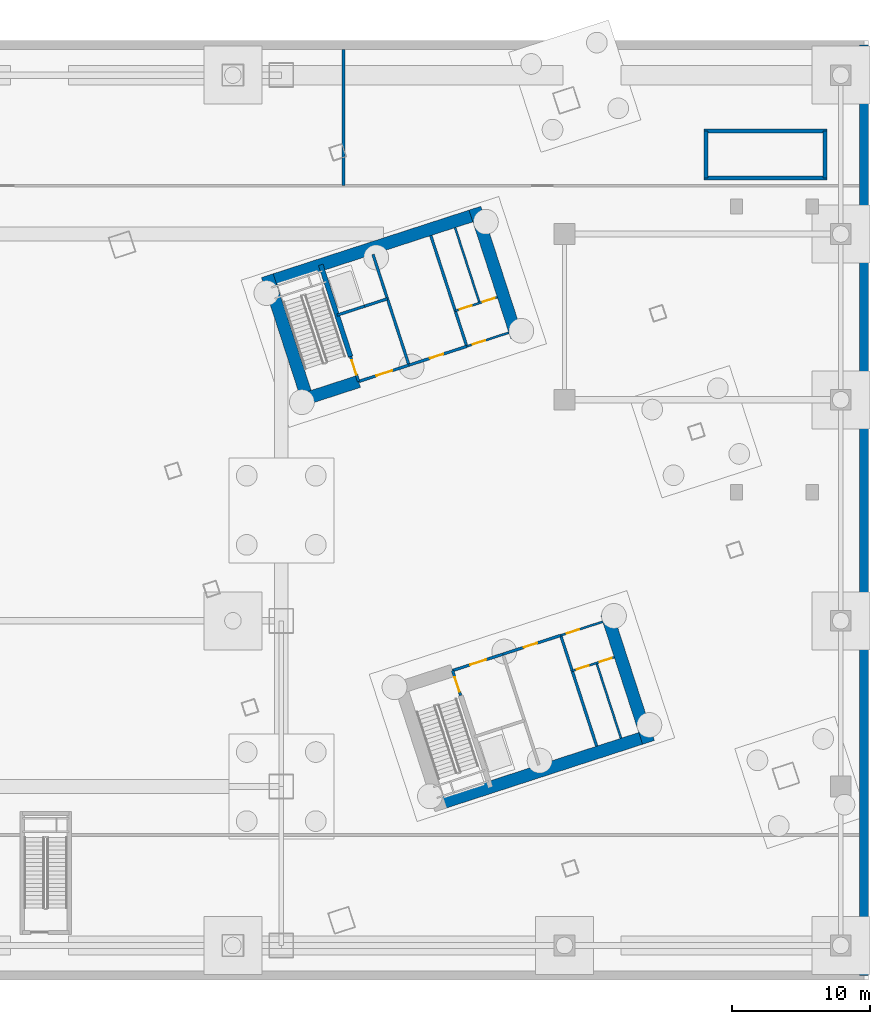
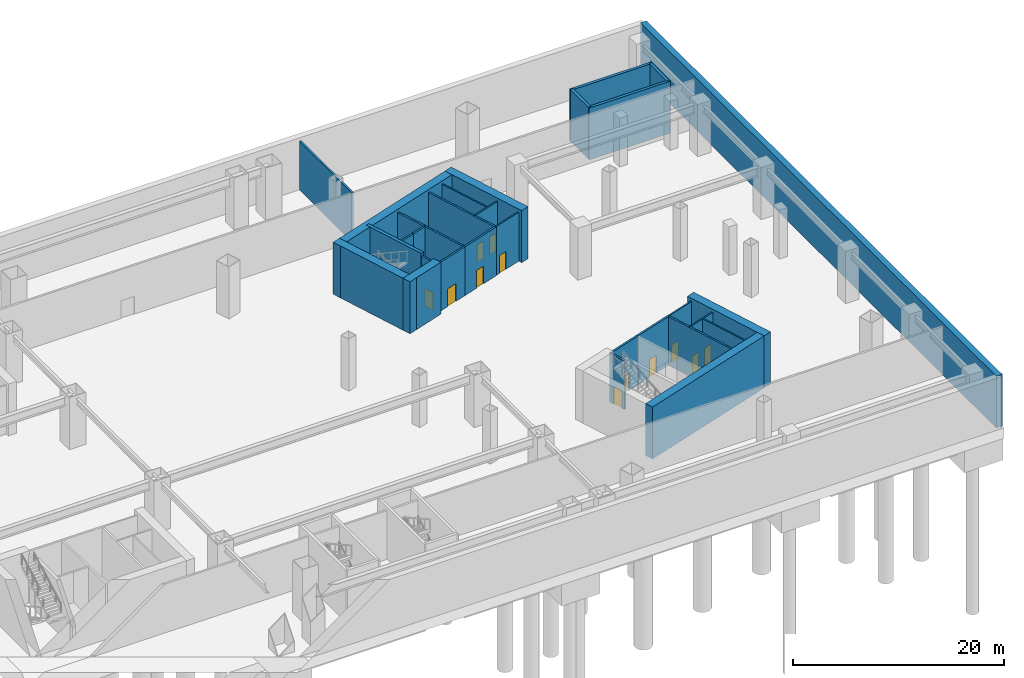
# One storey, part 12 of 20: 30 walls, 12 doors, 12 openings.
"""IFC4 building model written with IfcOpenShell, lengths in metres."""

from ifc_helpers import new_model, si_unit, direction, frame, frame_2d, origin, place, context, subcontext, project, spatial, rectangle, extrude, material, layer, layer_set, type_object, element, fill, save


model = new_model("IFC4")

# Units and contexts
model_context = context("Model", 3, precision=1e-05, world=origin(), true_north=direction((0.0, 1.0)))
body_context = subcontext(model_context, "Body", "Model", "MODEL_VIEW")
ifc_project = project(units=[si_unit("LENGTHUNIT", "METRE"), si_unit("AREAUNIT", "SQUARE_METRE"), si_unit("VOLUMEUNIT", "CUBIC_METRE"), si_unit("PLANEANGLEUNIT", "RADIAN"), si_unit("MASSUNIT", "GRAM", prefix="KILO")], contexts=[model_context])

# Site, building, storey
site_placement = place(None, origin())
site = spatial("IfcSite", under=ifc_project, at=site_placement, CompositionType="ELEMENT")
building_placement = place(site_placement, origin())
building = spatial("IfcBuilding", under=site, at=building_placement, Name="Qiaolan Cultural Towers", CompositionType="ELEMENT")
storey_placement = place(building_placement, frame((0.0, 0.0, -12.0)))
storey = spatial("IfcBuildingStorey", under=building, at=storey_placement, Name="B2", CompositionType="ELEMENT", Elevation=-12.0)

# Walls
ifc_material_1 = material(Name="Concrete C50", Category="concrete")
ifc_layer_1 = layer(ifc_material_1, 0.35009765625)
ifc_layer_set_1 = layer_set([ifc_layer_1], Name="Concrete C50")
wall_type_1 = type_object("IfcWallType", Name="WL-CORE-350", PredefinedType="SHEAR", material=ifc_layer_set_1)
wall_1_placement = place(storey_placement, frame((82.513671875, 45.13134765625, 0.0), z_axis=(0.0, 0.0, 1.0), x_axis=(-0.308988790936, 0.951065679686, 0.0)))
element("IfcWall", 1, at=wall_1_placement, inside=storey, type_object=wall_type_1, Name="B2 T2-CN Stair Core Dividing Web", PredefinedType="SHEAR", context=body_context, shape_type="SweptSolid", body=[
    extrude(rectangle(XDim=6.97998046875, YDim=0.35009765625, at=frame_2d((3.489990234375, 0.0))), origin(), (0.0, 0.0, 1.0), 6.0),
])
for number, where, z_axis, x_axis, name in (
    (2, (108.10009765625, 58.050048828125, 0.0), (0.0, 0.0, 1.0), (1.0, 0.0, 0.0), "B2 STP2 Stair Shaft Wall S"),
    (3, (108.10009765625, 61.449951171875, 0.0), (0.0, 0.0, 1.0), (1.0, 0.0, 0.0), "B2 STP2 Stair Shaft Wall N"),
):
    element("IfcWall", number, at=place(storey_placement, frame(where, z_axis=z_axis, x_axis=x_axis)), inside=storey, type_object=wall_type_1, Name=name, PredefinedType="SHEAR", context=body_context, shape_type="SweptSolid", body=[
        extrude(rectangle(XDim=8.89990234375, YDim=0.300048828125, at=frame_2d((4.449951171875, 0.0))), origin(), (0.0, 0.0, 1.0), 6.0),
    ])
for number, where, z_axis, x_axis, name in (
    (4, (116.85009765625, 58.050048828125, 0.0), (0.0, 0.0, 1.0), (0.0, 1.0, 0.0), "B2 STP2 Stair Shaft Wall E"),
    (5, (108.25, 58.050048828125, 0.0), (0.0, 0.0, 1.0), (0.0, 1.0, 0.0), "B2 STP2 Stair Shaft Wall W"),
):
    element("IfcWall", number, at=place(storey_placement, frame(where, z_axis=z_axis, x_axis=x_axis)), inside=storey, type_object=wall_type_1, Name=name, PredefinedType="SHEAR", context=body_context, shape_type="SweptSolid", body=[
        extrude(rectangle(XDim=3.39990234375, YDim=0.300048828125, at=frame_2d((1.699951171875, 0.0))), origin(), (0.0, 0.0, 1.0), 6.0),
    ])
ifc_material_2 = material(Name="Concrete C60", Category="concrete")
ifc_layer_2 = layer(ifc_material_2, 0.89990234375)
ifc_layer_set_2 = layer_set([ifc_layer_2], Name="Concrete C60")
wall_type_2 = type_object("IfcWallType", Name="WL-CORE-900", PredefinedType="SHEAR", material=ifc_layer_set_2)
wall_2_placement = place(storey_placement, frame((88.4873046875, 12.60546875, 0.0), z_axis=(0.0, 0.0, 1.0), x_axis=(0.951055016115, 0.309021611416, 0.0)))
element("IfcWall", 6, at=wall_2_placement, inside=storey, type_object=wall_type_2, Name="B2 T2-CS Outer Core Shear Wall", PredefinedType="SHEAR", context=body_context, shape_type="SweptSolid", body=[
    extrude(rectangle(XDim=16.699951171875, YDim=0.89990234375, at=frame_2d((8.35009765625, 0.0))), origin(), (0.0, 0.0, 1.0), 6.0),
])
wall_3_placement = place(storey_placement, frame((101.058837890625, 26.500244140625, 0.0), z_axis=(0.0, 0.0, 1.0), x_axis=(0.309021722829, -0.951054979914, 0.0)))
element("IfcWall", 7, at=wall_3_placement, inside=storey, type_object=wall_type_2, Name="B2 T2-CS East Core Shear Wall", PredefinedType="SHEAR", context=body_context, shape_type="SweptSolid", body=[
    extrude(rectangle(XDim=9.780029296875, YDim=0.89990234375, at=frame_2d((4.89013671875, 0.0))), origin(), (0.0, 0.0, 1.0), 6.0),
])
wall_4_placement = place(storey_placement, frame((76.20068359375, 50.41943359375, 0.0), z_axis=(0.0, 0.0, 1.0), x_axis=(0.951056412142, 0.309017314926, 0.0)))
element("IfcWall", 8, at=wall_4_placement, inside=storey, type_object=wall_type_2, Name="B2 T2-CN Outer Core Shear Wall", PredefinedType="SHEAR", context=body_context, shape_type="SweptSolid", body=[
    extrude(rectangle(XDim=16.7001953125, YDim=0.89990234375, at=frame_2d((8.35009765625, 0.0))), origin(), (0.0, 0.0, 1.0), 6.0),
])
for number, where, z_axis, x_axis, name in (
    (9, (79.511962890625, 41.68505859375, 0.0), (0.0, 0.0, 1.0), (-0.309021722829, 0.951054979914, 0.0), "B2 T2-CN West Core Shear Wall"),
    (10, (94.53857421875, 46.567626953125, 0.0), (0.0, 0.0, 1.0), (-0.309021722829, 0.951054979914, 0.0), "B2 T2-CN East Core Shear Wall"),
):
    element("IfcWall", number, at=place(storey_placement, frame(where, z_axis=z_axis, x_axis=x_axis)), inside=storey, type_object=wall_type_2, Name=name, PredefinedType="SHEAR", context=body_context, shape_type="SweptSolid", body=[
        extrude(rectangle(XDim=9.780029296875, YDim=0.89990234375, at=frame_2d((4.89013671875, 0.0))), origin(), (0.0, 0.0, 1.0), 6.0),
    ])
wall_5_placement = place(storey_placement, frame((78.94482421875, 41.97412109375, 0.0), z_axis=(0.0, 0.0, 1.0), x_axis=(0.951058289404, 0.309011537255, 0.0)))
element("IfcWall", 11, at=wall_5_placement, inside=storey, type_object=wall_type_2, Name="B2 T2-CN Stair Front Shear Wall", PredefinedType="SHEAR", context=body_context, shape_type="SweptSolid", body=[
    extrude(rectangle(XDim=4.369873046875, YDim=0.89990234375, at=frame_2d((2.18505859375, 0.0))), origin(), (0.0, 0.0, 1.0), 6.0),
])

# Wall, opening, door
ifc_material_3 = material(Name="Concrete C35 Fire Wall", Category="concrete")
ifc_layer_3 = layer(ifc_material_3, 0.199951171875)
ifc_layer_set_3 = layer_set([ifc_layer_3], Name="Concrete C35 Fire Wall")
wall_type_3 = type_object("IfcWallType", Name="WL-FIRE-200", PredefinedType="PARTITIONING", material=ifc_layer_set_3)
wall_6_placement = place(storey_placement, frame((89.8994140625, 22.401123046875, 0.0), z_axis=(0.0, 0.0, 1.0), x_axis=(0.308932062672, -0.951084108086, 0.0)))
wall_6 = element("IfcWall", 12, at=wall_6_placement, inside=storey, type_object=wall_type_3, Name="B2 T2-CS Smokeproof Stair Entry Wall", PredefinedType="PARTITIONING", context=body_context, shape_type="SweptSolid", body=[
    extrude(rectangle(XDim=1.89990234375, YDim=0.199951171875, at=frame_2d((0.949951171875, 0.0))), origin(), (0.0, 0.0, 1.0), 5.635009765625),
])
opening_1_placement = place(wall_6_placement, frame((0.52001953125, 0.0, 0.0)))
opening_1 = element("IfcOpeningElement", 13, at=opening_1_placement, cuts=wall_6, Name="Opening FD-04", PredefinedType="OPENING", context=body_context, shape_type="SweptSolid", body=[
    extrude(rectangle(XDim=1.10009765625, YDim=2.050048828125, at=frame_2d((0.550048828125, 1.02490234375))), frame((0.0, 0.10986328125, 0.0), z_axis=(0.0, -1.0, 0.0), x_axis=(1.0, 0.0, 0.0)), (0.0, 0.0, 1.0), 0.219970703125),
])
ifc_material_4 = material(Name="Galvanized Steel Command Fire Door", Category="steel")
door_type_1 = type_object("IfcDoorType", Name="DR-FD90-1100", OperationType="NOTDEFINED", PredefinedType="DOOR", material=ifc_material_4)
door_1_placement = place(opening_1_placement, origin())
door_1 = element("IfcDoor", 14, at=door_1_placement, inside=storey, type_object=door_type_1, Name="B2 ST-E1 Smokeproof Stair Fire Door", OperationType="SINGLE_SWING_LEFT", OverallHeight=2.050048828125, OverallWidth=1.10009765625, PredefinedType="DOOR", context=body_context, shape_type="SweptSolid", body=[
    extrude(rectangle(XDim=1.10009765625, YDim=2.050048828125, at=frame_2d((0.550048828125, 1.02490234375))), frame((0.0, 0.02490234375, 0.0), z_axis=(0.0, -1.0, 0.0), x_axis=(1.0, 0.0, 0.0)), (0.0, 0.0, 1.0), 0.050048828125),
])
fill(opening_1, door_1)

wall_7_placement = place(storey_placement, frame((89.8994140625, 22.401123046875, 0.0), z_axis=(0.0, 0.0, 1.0), x_axis=(0.951046716504, 0.309047153403, 0.0)))
wall_7 = element("IfcWall", 15, at=wall_7_placement, inside=storey, type_object=wall_type_3, Name="B2 T2-CS Firefighting Lobby Front Wall", PredefinedType="PARTITIONING", context=body_context, shape_type="SweptSolid", body=[
    extrude(rectangle(XDim=3.829833984375, YDim=0.199951171875, at=frame_2d((1.9150390625, 0.0))), origin(), (0.0, 0.0, 1.0), 5.635009765625),
])
opening_2_placement = place(wall_7_placement, frame((1.35009765625, 0.0, 0.0)))
opening_2 = element("IfcOpeningElement", 16, at=opening_2_placement, cuts=wall_7, Name="Opening FD-03", PredefinedType="OPENING", context=body_context, shape_type="SweptSolid", body=[
    extrude(rectangle(XDim=1.199951171875, YDim=2.050048828125, at=frame_2d((0.60009765625, 1.02490234375))), frame((0.0, 0.10986328125, 0.0), z_axis=(0.0, -1.0, 0.0), x_axis=(1.0, 0.0, 0.0)), (0.0, 0.0, 1.0), 0.219970703125),
])
ifc_material_5 = material(Name="Galvanized Steel Smokeproof Lobby Fire Door", Category="steel")
door_type_2 = type_object("IfcDoorType", Name="DR-FD90-1200", OperationType="NOTDEFINED", PredefinedType="DOOR", material=ifc_material_5)
door_2_placement = place(opening_2_placement, origin())
door_2 = element("IfcDoor", 17, at=door_2_placement, inside=storey, type_object=door_type_2, Name="B2 FFL-E1 Firefighting Lobby Fire Door", OperationType="SINGLE_SWING_LEFT", OverallHeight=2.050048828125, OverallWidth=1.199951171875, PredefinedType="DOOR", context=body_context, shape_type="SweptSolid", body=[
    extrude(rectangle(XDim=1.199951171875, YDim=2.050048828125, at=frame_2d((0.60009765625, 1.02490234375))), frame((0.0, 0.02490234375, 0.0), z_axis=(0.0, -1.0, 0.0), x_axis=(1.0, 0.0, 0.0)), (0.0, 0.0, 1.0), 0.050048828125),
])
fill(opening_2, door_2)

# Wall
wall_8_placement = place(storey_placement, frame((97.7265625, 24.9443359375, 0.0), z_axis=(0.0, 0.0, 1.0), x_axis=(0.309016001439, -0.951056838919, 0.0)))
element("IfcWall", 18, at=wall_8_placement, inside=storey, type_object=wall_type_3, Name="B2 T2-CS Lift Core East Wall", PredefinedType="PARTITIONING", context=body_context, shape_type="SweptSolid", body=[
    extrude(rectangle(XDim=8.429931640625, YDim=0.199951171875, at=frame_2d((4.21484375, 0.0))), origin(), (0.0, 0.0, 1.0), 5.635009765625),
])

# Wall, opening, door
wall_9_placement = place(storey_placement, frame((93.541748046875, 23.584716796875, 0.0), z_axis=(0.0, 0.0, 1.0), x_axis=(0.951063829732, 0.308994485023, 0.0)))
wall_9 = element("IfcWall", 19, at=wall_9_placement, inside=storey, type_object=wall_type_3, Name="B2 T2-CS Basement Core Store Front Wall", PredefinedType="PARTITIONING", context=body_context, shape_type="SweptSolid", body=[
    extrude(rectangle(XDim=4.400146484375, YDim=0.199951171875, at=frame_2d((2.2001953125, 0.0))), origin(), (0.0, 0.0, 1.0), 5.635009765625),
])
opening_3_placement = place(wall_9_placement, frame((1.60009765625, 0.0, 0.0)))
opening_3 = element("IfcOpeningElement", 20, at=opening_3_placement, cuts=wall_9, Name="Opening FD-07", PredefinedType="OPENING", context=body_context, shape_type="SweptSolid", body=[
    extrude(rectangle(XDim=1.0, YDim=2.050048828125, at=frame_2d((0.5, 1.02490234375))), frame((0.0, 0.10986328125, 0.0), z_axis=(0.0, -1.0, 0.0), x_axis=(1.0, 0.0, 0.0)), (0.0, 0.0, 1.0), 0.219970703125),
])
ifc_material_6 = material(Name="Painted Steel Riser Fire Door", Category="steel")
door_type_3 = type_object("IfcDoorType", Name="DR-FD60-1000", OperationType="NOTDEFINED", PredefinedType="DOOR", material=ifc_material_6)
door_3_placement = place(opening_3_placement, origin())
door_3 = element("IfcDoor", 21, at=door_3_placement, inside=storey, type_object=door_type_3, Name="B2 Core Maintenance Store Door", OperationType="SINGLE_SWING_LEFT", OverallHeight=2.050048828125, OverallWidth=1.0, PredefinedType="DOOR", context=body_context, shape_type="SweptSolid", body=[
    extrude(rectangle(XDim=1.0, YDim=2.050048828125, at=frame_2d((0.5, 1.02490234375))), frame((0.0, 0.02490234375, 0.0), z_axis=(0.0, -1.0, 0.0), x_axis=(1.0, 0.0, 0.0)), (0.0, 0.0, 1.0), 0.050048828125),
])
fill(opening_3, door_3)

wall_10_placement = place(storey_placement, frame((83.100830078125, 43.324462890625, 0.0), z_axis=(0.0, 0.0, 1.0), x_axis=(-0.309048298632, 0.951046344356, 0.0)))
wall_10 = element("IfcWall", 22, at=wall_10_placement, inside=storey, type_object=wall_type_3, Name="B2 T2-CN Smokeproof Stair Entry Wall", PredefinedType="PARTITIONING", context=body_context, shape_type="SweptSolid", body=[
    extrude(rectangle(XDim=1.89990234375, YDim=0.199951171875, at=frame_2d((0.949951171875, 0.0))), origin(), (0.0, 0.0, 1.0), 5.635009765625),
])
opening_4_placement = place(wall_10_placement, frame((0.52001953125, 0.0, 0.0)))
opening_4 = element("IfcOpeningElement", 23, at=opening_4_placement, cuts=wall_10, Name="Opening FD-04", PredefinedType="OPENING", context=body_context, shape_type="SweptSolid", body=[
    extrude(rectangle(XDim=1.10009765625, YDim=2.050048828125, at=frame_2d((0.550048828125, 1.02490234375))), frame((0.0, 0.10986328125, 0.0), z_axis=(0.0, -1.0, 0.0), x_axis=(1.0, 0.0, 0.0)), (0.0, 0.0, 1.0), 0.219970703125),
])
door_4_placement = place(opening_4_placement, origin())
door_4 = element("IfcDoor", 24, at=door_4_placement, inside=storey, type_object=door_type_1, Name="B2 ST-E2 Smokeproof Stair Fire Door", OperationType="SINGLE_SWING_LEFT", OverallHeight=2.050048828125, OverallWidth=1.10009765625, PredefinedType="DOOR", context=body_context, shape_type="SweptSolid", body=[
    extrude(rectangle(XDim=1.10009765625, YDim=2.050048828125, at=frame_2d((0.550048828125, 1.02490234375))), frame((0.0, 0.02490234375, 0.0), z_axis=(0.0, -1.0, 0.0), x_axis=(1.0, 0.0, 0.0)), (0.0, 0.0, 1.0), 0.050048828125),
])
fill(opening_4, door_4)

# Wall
wall_11_placement = place(storey_placement, frame((86.743408203125, 44.508056640625, 0.0), z_axis=(0.0, 0.0, 1.0), x_axis=(-0.309016001439, 0.951056838919, 0.0)))
element("IfcWall", 25, at=wall_11_placement, inside=storey, type_object=wall_type_3, Name="B2 T2-CN Firefighting Zone Wall", PredefinedType="PARTITIONING", context=body_context, shape_type="SweptSolid", body=[
    extrude(rectangle(XDim=8.429931640625, YDim=0.199951171875, at=frame_2d((4.21484375, 0.0))), origin(), (0.0, 0.0, 1.0), 5.635009765625),
])

# Wall, opening, door
wall_12_placement = place(storey_placement, frame((83.100830078125, 43.324462890625, 0.0), z_axis=(0.0, 0.0, 1.0), x_axis=(0.951052804469, 0.309028417967, 0.0)))
wall_12 = element("IfcWall", 26, at=wall_12_placement, inside=storey, type_object=wall_type_3, Name="B2 T2-CN Firefighting Lobby Front Wall", PredefinedType="PARTITIONING", context=body_context, shape_type="SweptSolid", body=[
    extrude(rectangle(XDim=3.830078125, YDim=0.199951171875, at=frame_2d((1.9150390625, 0.0))), origin(), (0.0, 0.0, 1.0), 5.635009765625),
])
opening_5_placement = place(wall_12_placement, frame((1.35009765625, 0.0, 0.0)))
opening_5 = element("IfcOpeningElement", 27, at=opening_5_placement, cuts=wall_12, Name="Opening FD-03", PredefinedType="OPENING", context=body_context, shape_type="SweptSolid", body=[
    extrude(rectangle(XDim=1.199951171875, YDim=2.050048828125, at=frame_2d((0.60009765625, 1.02490234375))), frame((0.0, 0.10986328125, 0.0), z_axis=(0.0, -1.0, 0.0), x_axis=(1.0, 0.0, 0.0)), (0.0, 0.0, 1.0), 0.219970703125),
])
door_5_placement = place(opening_5_placement, origin())
door_5 = element("IfcDoor", 28, at=door_5_placement, inside=storey, type_object=door_type_2, Name="B2 FFL-E2 Firefighting Lobby Fire Door", OperationType="SINGLE_SWING_LEFT", OverallHeight=2.050048828125, OverallWidth=1.199951171875, PredefinedType="DOOR", context=body_context, shape_type="SweptSolid", body=[
    extrude(rectangle(XDim=1.199951171875, YDim=2.050048828125, at=frame_2d((0.60009765625, 1.02490234375))), frame((0.0, 0.02490234375, 0.0), z_axis=(0.0, -1.0, 0.0), x_axis=(1.0, 0.0, 0.0)), (0.0, 0.0, 1.0), 0.050048828125),
])
fill(opening_5, door_5)

# Walls
wall_13_placement = place(storey_placement, frame((81.540283203125, 48.127197265625, 0.0), z_axis=(0.0, 0.0, 1.0), x_axis=(0.951062257173, 0.308999325213, 0.0)))
element("IfcWall", 29, at=wall_13_placement, inside=storey, type_object=wall_type_3, Name="B2 T2-CN Firefighting Shaft Front Wall", PredefinedType="PARTITIONING", context=body_context, shape_type="SweptSolid", body=[
    extrude(rectangle(XDim=2.10009765625, YDim=0.199951171875, at=frame_2d((1.050048828125, 0.0))), origin(), (0.0, 0.0, 1.0), 5.635009765625),
])
wall_14_placement = place(storey_placement, frame((83.53759765625, 48.776123046875, 0.0), z_axis=(0.0, 0.0, 1.0), x_axis=(0.951041328149, 0.309063734775, 0.0)))
element("IfcWall", 30, at=wall_14_placement, inside=storey, type_object=wall_type_3, Name="B2 T2-CN Firefighting Pit Wall", PredefinedType="PARTITIONING", context=body_context, shape_type="SweptSolid", body=[
    extrude(rectangle(XDim=1.72998046875, YDim=0.199951171875, at=frame_2d((0.864990234375, 0.0))), origin(), (0.0, 0.0, 1.0), 5.635009765625),
])
wall_15_placement = place(storey_placement, frame((90.92822265625, 45.86767578125, 0.0), z_axis=(0.0, 0.0, 1.0), x_axis=(-0.309042196757, 0.951048327176, 0.0)))
element("IfcWall", 31, at=wall_15_placement, inside=storey, type_object=wall_type_3, Name="B2 T2-CN Lift Core East Wall", PredefinedType="PARTITIONING", context=body_context, shape_type="SweptSolid", body=[
    extrude(rectangle(XDim=8.429931640625, YDim=0.199951171875, at=frame_2d((4.21484375, 0.0))), origin(), (0.0, 0.0, 1.0), 5.635009765625),
])

# Wall, opening, door
wall_16_placement = place(storey_placement, frame((86.743408203125, 44.508056640625, 0.0), z_axis=(0.0, 0.0, 1.0), x_axis=(0.951063829732, 0.308994485023, 0.0)))
wall_16 = element("IfcWall", 32, at=wall_16_placement, inside=storey, type_object=wall_type_3, Name="B2 T2-CN Basement Core Store Front Wall", PredefinedType="PARTITIONING", context=body_context, shape_type="SweptSolid", body=[
    extrude(rectangle(XDim=4.400146484375, YDim=0.199951171875, at=frame_2d((2.2001953125, 0.0))), origin(), (0.0, 0.0, 1.0), 5.635009765625),
])
opening_6_placement = place(wall_16_placement, frame((1.60009765625, 0.0, 0.0)))
opening_6 = element("IfcOpeningElement", 33, at=opening_6_placement, cuts=wall_16, Name="Opening FD-07", PredefinedType="OPENING", context=body_context, shape_type="SweptSolid", body=[
    extrude(rectangle(XDim=1.0, YDim=2.050048828125, at=frame_2d((0.5, 1.02490234375))), frame((0.0, 0.10986328125, 0.0), z_axis=(0.0, -1.0, 0.0), x_axis=(1.0, 0.0, 0.0)), (0.0, 0.0, 1.0), 0.219970703125),
])
door_6_placement = place(opening_6_placement, origin())
door_6 = element("IfcDoor", 34, at=door_6_placement, inside=storey, type_object=door_type_3, Name="B2 Core Maintenance Store Door", OperationType="SINGLE_SWING_LEFT", OverallHeight=2.050048828125, OverallWidth=1.0, PredefinedType="DOOR", context=body_context, shape_type="SweptSolid", body=[
    extrude(rectangle(XDim=1.0, YDim=2.050048828125, at=frame_2d((0.5, 1.02490234375))), frame((0.0, 0.02490234375, 0.0), z_axis=(0.0, -1.0, 0.0), x_axis=(1.0, 0.0, 0.0)), (0.0, 0.0, 1.0), 0.050048828125),
])
fill(opening_6, door_6)

# Wall
wall_17_placement = place(storey_placement, frame((82.0, 57.5, 0.0), z_axis=(0.0, 0.0, 1.0), x_axis=(0.0, 1.0, 0.0)))
element("IfcWall", 35, at=wall_17_placement, inside=storey, type_object=wall_type_3, Name="B2 Podium Partition B2-PM2", PredefinedType="PARTITIONING", context=body_context, shape_type="SweptSolid", body=[
    extrude(rectangle(XDim=9.85009765625, YDim=0.199951171875, at=frame_2d((4.925048828125, 0.0))), origin(), (0.0, 0.0, 1.0), 5.635009765625),
])

# Wall, opening, door
ifc_material_7 = material(Name="Autoclaved Aerated Concrete Block B06", Category="concrete")
ifc_layer_4 = layer(ifc_material_7, 0.14990234375)
ifc_layer_set_4 = layer_set([ifc_layer_4], Name="Autoclaved Aerated Concrete Block B06")
wall_type_4 = type_object("IfcWallType", Name="WL-PART-150", PredefinedType="PARTITIONING", material=ifc_layer_set_4)
wall_18_placement = place(storey_placement, frame((97.7265625, 24.9443359375, 0.0), z_axis=(0.0, 0.0, 1.0), x_axis=(0.951036872128, 0.309077446369, 0.0)))
wall_18 = element("IfcWall", 36, at=wall_18_placement, inside=storey, type_object=wall_type_4, Name="B2 T2-CS Sanitary Core Front Wall", PredefinedType="PARTITIONING", context=body_context, shape_type="SweptSolid", body=[
    extrude(rectangle(XDim=3.199951171875, YDim=0.14990234375, at=frame_2d((1.60009765625, 0.0))), origin(), (0.0, 0.0, 1.0), 5.635009765625),
])
opening_7_placement = place(wall_18_placement, frame((0.449951171875, 0.0, 0.0)))
opening_7 = element("IfcOpeningElement", 37, at=opening_7_placement, cuts=wall_18, Name="Opening ID-05", PredefinedType="OPENING", context=body_context, shape_type="SweptSolid", body=[
    extrude(rectangle(XDim=0.949951171875, YDim=2.050048828125, at=frame_2d((0.47509765625, 1.02490234375))), frame((0.0, 0.0849609375, 0.0), z_axis=(0.0, -1.0, 0.0), x_axis=(1.0, 0.0, 0.0)), (0.0, 0.0, 1.0), 0.169921875),
])
ifc_material_8 = material(Name="Fire-Rated Laminate Accessible Core Door", Category="timber")
door_type_4 = type_object("IfcDoorType", Name="DR-INT-950", OperationType="NOTDEFINED", PredefinedType="DOOR", material=ifc_material_8)
door_7_placement = place(opening_7_placement, origin())
door_7 = element("IfcDoor", 38, at=door_7_placement, inside=storey, type_object=door_type_4, Name="B2 Sanitary Vestibule Door", OperationType="SINGLE_SWING_LEFT", OverallHeight=2.050048828125, OverallWidth=0.949951171875, PredefinedType="DOOR", context=body_context, shape_type="SweptSolid", body=[
    extrude(rectangle(XDim=0.949951171875, YDim=2.050048828125, at=frame_2d((0.47509765625, 1.02490234375))), frame((0.0, 0.02490234375, 0.0), z_axis=(0.0, -1.0, 0.0), x_axis=(1.0, 0.0, 0.0)), (0.0, 0.0, 1.0), 0.050048828125),
])
fill(opening_7, door_7)

# Wall, openings, doors
wall_19_placement = place(storey_placement, frame((98.560791015625, 22.37646484375, 0.0), z_axis=(0.0, 0.0, 1.0), x_axis=(0.95104415986, 0.309055020985, 0.0)))
wall_19 = element("IfcWall", 39, at=wall_19_placement, inside=storey, type_object=wall_type_4, Name="B2 T2-CS Restroom Vestibule Wall", PredefinedType="PARTITIONING", context=body_context, shape_type="SweptSolid", body=[
    extrude(rectangle(XDim=3.2001953125, YDim=0.14990234375, at=frame_2d((1.60009765625, 0.0))), origin(), (0.0, 0.0, 1.0), 5.635009765625),
])
opening_8_placement = place(wall_19_placement, frame((0.35009765625, 0.0, 0.0)))
opening_8 = element("IfcOpeningElement", 40, at=opening_8_placement, cuts=wall_19, Name="Opening ID-06", PredefinedType="OPENING", context=body_context, shape_type="SweptSolid", body=[
    extrude(rectangle(XDim=0.89990234375, YDim=2.050048828125, at=frame_2d((0.449951171875, 1.02490234375))), frame((0.0, 0.0849609375, 0.0), z_axis=(0.0, -1.0, 0.0), x_axis=(1.0, 0.0, 0.0)), (0.0, 0.0, 1.0), 0.169921875),
])
opening_9_placement = place(wall_19_placement, frame((2.10009765625, 0.0, 0.0)))
opening_9 = element("IfcOpeningElement", 41, at=opening_9_placement, cuts=wall_19, Name="Opening ID-06", PredefinedType="OPENING", context=body_context, shape_type="SweptSolid", body=[
    extrude(rectangle(XDim=0.89990234375, YDim=2.050048828125, at=frame_2d((0.449951171875, 1.02490234375))), frame((0.0, 0.0849609375, 0.0), z_axis=(0.0, -1.0, 0.0), x_axis=(1.0, 0.0, 0.0)), (0.0, 0.0, 1.0), 0.169921875),
])
ifc_material_9 = material(Name="Fire-Rated Laminate Core Service Door", Category="timber")
door_type_5 = type_object("IfcDoorType", Name="DR-INT-900", OperationType="NOTDEFINED", PredefinedType="DOOR", material=ifc_material_9)
door_8_placement = place(opening_8_placement, origin())
door_8 = element("IfcDoor", 42, at=door_8_placement, inside=storey, type_object=door_type_5, Name="B2 Men Restroom Door", OperationType="SINGLE_SWING_LEFT", OverallHeight=2.050048828125, OverallWidth=0.89990234375, PredefinedType="DOOR", context=body_context, shape_type="SweptSolid", body=[
    extrude(rectangle(XDim=0.89990234375, YDim=2.050048828125, at=frame_2d((0.449951171875, 1.02490234375))), frame((0.0, 0.02490234375, 0.0), z_axis=(0.0, -1.0, 0.0), x_axis=(1.0, 0.0, 0.0)), (0.0, 0.0, 1.0), 0.050048828125),
])
fill(opening_8, door_8)
door_9_placement = place(opening_9_placement, origin())
door_9 = element("IfcDoor", 43, at=door_9_placement, inside=storey, type_object=door_type_5, Name="B2 Accessible & Women Restroom Door", OperationType="SINGLE_SWING_RIGHT", OverallHeight=2.050048828125, OverallWidth=0.89990234375, PredefinedType="DOOR", context=body_context, shape_type="SweptSolid", body=[
    extrude(rectangle(XDim=0.89990234375, YDim=2.050048828125, at=frame_2d((0.449951171875, 1.02490234375))), frame((0.0, 0.02490234375, 0.0), z_axis=(0.0, -1.0, 0.0), x_axis=(1.0, 0.0, 0.0)), (0.0, 0.0, 1.0), 0.050048828125),
])
fill(opening_9, door_9)

# Wall
wall_20_placement = place(storey_placement, frame((100.3203125, 22.9482421875, 0.0), z_axis=(0.0, 0.0, 1.0), x_axis=(0.309035009867, -0.951050662518, 0.0)))
element("IfcWall", 44, at=wall_20_placement, inside=storey, type_object=wall_type_4, Name="B2 T2-CS Restroom Divider Wall", PredefinedType="PARTITIONING", context=body_context, shape_type="SweptSolid", body=[
    extrude(rectangle(XDim=5.72998046875, YDim=0.14990234375, at=frame_2d((2.864990234375, 0.0))), origin(), (0.0, 0.0, 1.0), 5.635009765625),
])

# Wall, opening, door
wall_21_placement = place(storey_placement, frame((90.92822265625, 45.86767578125, 0.0), z_axis=(0.0, 0.0, 1.0), x_axis=(0.951059297078, 0.309008435874, 0.0)))
wall_21 = element("IfcWall", 45, at=wall_21_placement, inside=storey, type_object=wall_type_4, Name="B2 T2-CN Sanitary Core Front Wall", PredefinedType="PARTITIONING", context=body_context, shape_type="SweptSolid", body=[
    extrude(rectangle(XDim=3.19970703125, YDim=0.14990234375, at=frame_2d((1.599853515625, 0.0))), origin(), (0.0, 0.0, 1.0), 5.635009765625),
])
opening_10_placement = place(wall_21_placement, frame((0.449951171875, 0.0, 0.0)))
opening_10 = element("IfcOpeningElement", 46, at=opening_10_placement, cuts=wall_21, Name="Opening ID-05", PredefinedType="OPENING", context=body_context, shape_type="SweptSolid", body=[
    extrude(rectangle(XDim=0.949951171875, YDim=2.050048828125, at=frame_2d((0.47509765625, 1.02490234375))), frame((0.0, 0.0849609375, 0.0), z_axis=(0.0, -1.0, 0.0), x_axis=(1.0, 0.0, 0.0)), (0.0, 0.0, 1.0), 0.169921875),
])
door_10_placement = place(opening_10_placement, origin())
door_10 = element("IfcDoor", 47, at=door_10_placement, inside=storey, type_object=door_type_4, Name="B2 Sanitary Vestibule Door", OperationType="SINGLE_SWING_LEFT", OverallHeight=2.050048828125, OverallWidth=0.949951171875, PredefinedType="DOOR", context=body_context, shape_type="SweptSolid", body=[
    extrude(rectangle(XDim=0.949951171875, YDim=2.050048828125, at=frame_2d((0.47509765625, 1.02490234375))), frame((0.0, 0.02490234375, 0.0), z_axis=(0.0, -1.0, 0.0), x_axis=(1.0, 0.0, 0.0)), (0.0, 0.0, 1.0), 0.050048828125),
])
fill(opening_10, door_10)

# Wall, openings, doors
wall_22_placement = place(storey_placement, frame((90.09375, 48.435546875, 0.0), z_axis=(0.0, 0.0, 1.0), x_axis=(0.951066581729, 0.308986014439, 0.0)))
wall_22 = element("IfcWall", 48, at=wall_22_placement, inside=storey, type_object=wall_type_4, Name="B2 T2-CN Restroom Vestibule Wall", PredefinedType="PARTITIONING", context=body_context, shape_type="SweptSolid", body=[
    extrude(rectangle(XDim=3.199951171875, YDim=0.14990234375, at=frame_2d((1.60009765625, 0.0))), origin(), (0.0, 0.0, 1.0), 5.635009765625),
])
opening_11_placement = place(wall_22_placement, frame((0.35009765625, 0.0, 0.0)))
opening_11 = element("IfcOpeningElement", 49, at=opening_11_placement, cuts=wall_22, Name="Opening ID-06", PredefinedType="OPENING", context=body_context, shape_type="SweptSolid", body=[
    extrude(rectangle(XDim=0.89990234375, YDim=2.050048828125, at=frame_2d((0.449951171875, 1.02490234375))), frame((0.0, 0.0849609375, 0.0), z_axis=(0.0, -1.0, 0.0), x_axis=(1.0, 0.0, 0.0)), (0.0, 0.0, 1.0), 0.169921875),
])
opening_12_placement = place(wall_22_placement, frame((2.10009765625, 0.0, 0.0)))
opening_12 = element("IfcOpeningElement", 50, at=opening_12_placement, cuts=wall_22, Name="Opening ID-06", PredefinedType="OPENING", context=body_context, shape_type="SweptSolid", body=[
    extrude(rectangle(XDim=0.89990234375, YDim=2.050048828125, at=frame_2d((0.449951171875, 1.02490234375))), frame((0.0, 0.0849609375, 0.0), z_axis=(0.0, -1.0, 0.0), x_axis=(1.0, 0.0, 0.0)), (0.0, 0.0, 1.0), 0.169921875),
])
door_11_placement = place(opening_11_placement, origin())
door_11 = element("IfcDoor", 51, at=door_11_placement, inside=storey, type_object=door_type_5, Name="B2 Men Restroom Door", OperationType="SINGLE_SWING_LEFT", OverallHeight=2.050048828125, OverallWidth=0.89990234375, PredefinedType="DOOR", context=body_context, shape_type="SweptSolid", body=[
    extrude(rectangle(XDim=0.89990234375, YDim=2.050048828125, at=frame_2d((0.449951171875, 1.02490234375))), frame((0.0, 0.02490234375, 0.0), z_axis=(0.0, -1.0, 0.0), x_axis=(1.0, 0.0, 0.0)), (0.0, 0.0, 1.0), 0.050048828125),
])
fill(opening_11, door_11)
door_12_placement = place(opening_12_placement, origin())
door_12 = element("IfcDoor", 52, at=door_12_placement, inside=storey, type_object=door_type_5, Name="B2 Accessible & Women Restroom Door", OperationType="SINGLE_SWING_RIGHT", OverallHeight=2.050048828125, OverallWidth=0.89990234375, PredefinedType="DOOR", context=body_context, shape_type="SweptSolid", body=[
    extrude(rectangle(XDim=0.89990234375, YDim=2.050048828125, at=frame_2d((0.449951171875, 1.02490234375))), frame((0.0, 0.02490234375, 0.0), z_axis=(0.0, -1.0, 0.0), x_axis=(1.0, 0.0, 0.0)), (0.0, 0.0, 1.0), 0.050048828125),
])
fill(opening_12, door_12)

# Walls
wall_23_placement = place(storey_placement, frame((91.853271484375, 49.007080078125, 0.0), z_axis=(0.0, 0.0, 1.0), x_axis=(-0.309022487551, 0.951054731437, 0.0)))
element("IfcWall", 53, at=wall_23_placement, inside=storey, type_object=wall_type_4, Name="B2 T2-CN Restroom Divider Wall", PredefinedType="PARTITIONING", context=body_context, shape_type="SweptSolid", body=[
    extrude(rectangle(XDim=5.730224609375, YDim=0.14990234375, at=frame_2d((2.865234375, 0.0))), origin(), (0.0, 0.0, 1.0), 5.635009765625),
])
ifc_material_10 = material(Name="Concrete C50", Category="concrete")
ifc_layer_5 = layer(ifc_material_10, 0.64990234375)
ifc_layer_set_5 = layer_set([ifc_layer_5], Name="Concrete C50")
wall_type_5 = type_object("IfcWallType", Name="WL-RET-650", PredefinedType="SHEAR", material=ifc_layer_set_5)
wall_24_placement = place(storey_placement, frame((119.675048828125, 0.324951171875, 0.0), z_axis=(0.0, 0.0, 1.0), x_axis=(0.0, 1.0, 0.0)))
element("IfcWall", 54, at=wall_24_placement, inside=storey, type_object=wall_type_5, Name="B2 Basement Retaining Wall EAST", PredefinedType="SHEAR", context=body_context, shape_type="SweptSolid", body=[
    extrude(rectangle(XDim=67.35009765625, YDim=0.64990234375, at=frame_2d((33.675048828125, 0.0))), origin(), (0.0, 0.0, 1.0), 6.0),
])

save(model, "model.ifc")
